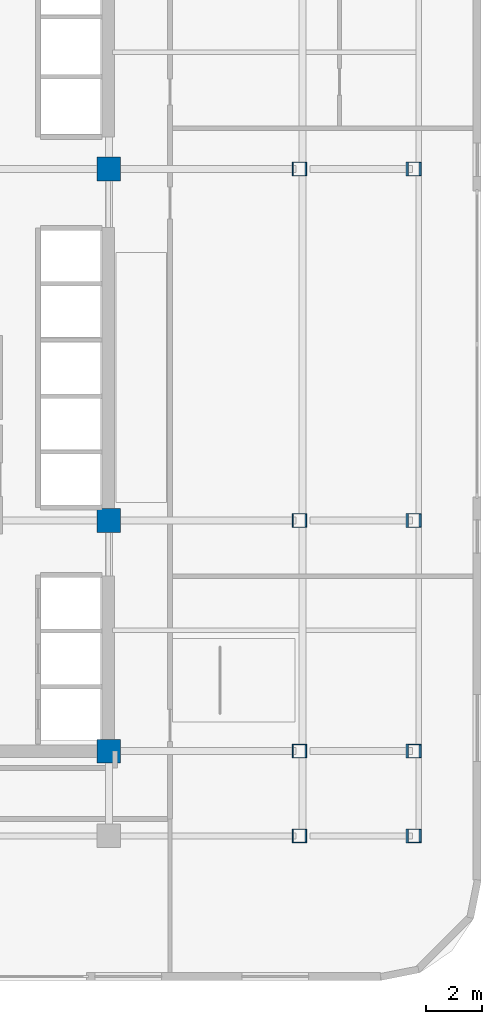
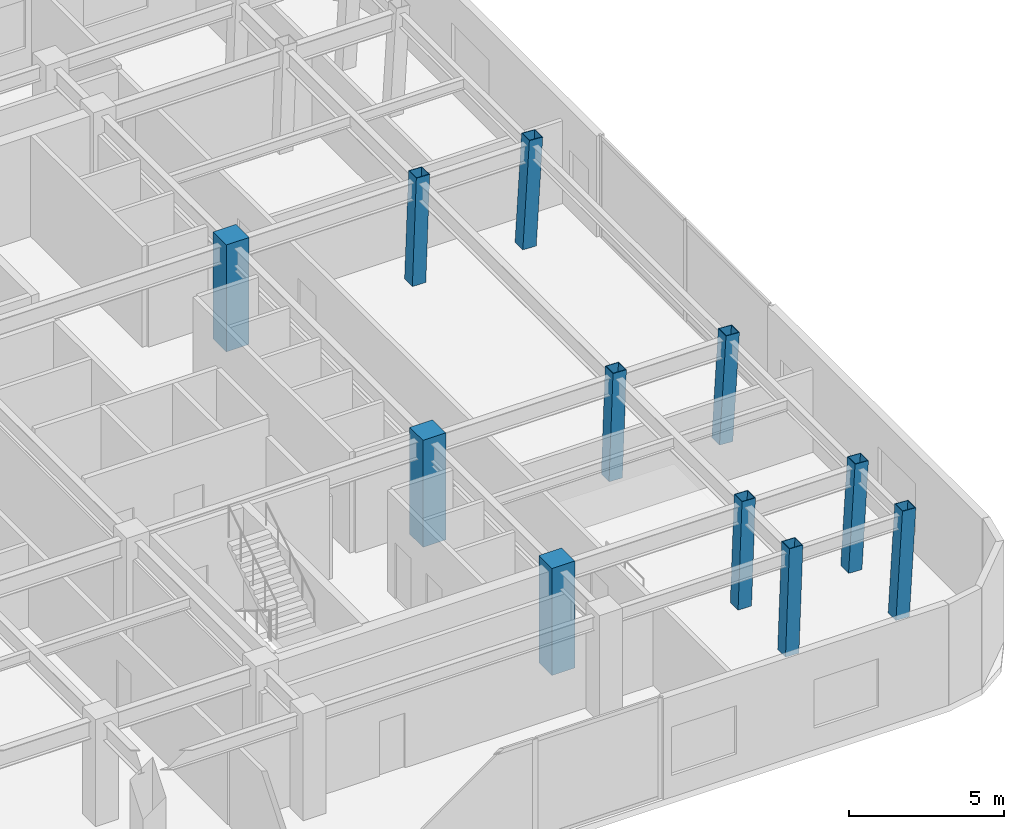
# One storey, part 2 of 13: 11 columns.
"""IFC4 building model written with IfcOpenShell, lengths in metres."""

from ifc_helpers import new_model, si_unit, direction, frame, origin, origin_2d, place, context, subcontext, project, spatial, rectangle, hollow_rectangle, extrude, material, material_profile, profile_set, type_object, element, save


model = new_model("IFC4")

# Units and contexts
model_context = context("Model", 3, precision=1e-05, world=origin(), true_north=direction((0.0, 1.0)))
body_context = subcontext(model_context, "Body", "Model", "MODEL_VIEW")
ifc_project = project(units=[si_unit("LENGTHUNIT", "METRE"), si_unit("AREAUNIT", "SQUARE_METRE"), si_unit("VOLUMEUNIT", "CUBIC_METRE"), si_unit("PLANEANGLEUNIT", "RADIAN"), si_unit("MASSUNIT", "GRAM", prefix="KILO")], contexts=[model_context])

# Site, building, storey
site_placement = place(None, origin())
site = spatial("IfcSite", under=ifc_project, at=site_placement, CompositionType="ELEMENT")
building_placement = place(site_placement, origin())
building = spatial("IfcBuilding", under=site, at=building_placement, Name="Ochreholt Gables", CompositionType="ELEMENT")
storey_placement = place(building_placement, frame((0.0, 0.0, 60.0)))
storey = spatial("IfcBuildingStorey", under=building, at=storey_placement, Name="L15", CompositionType="ELEMENT", Elevation=60.0)

# Columns
ifc_material_1 = material(Name="Steel CSA G40.21 350W", Category="steel")
ifc_material_profile_1 = material_profile(ifc_material_1, hollow_rectangle(XDim=0.5, YDim=0.5, WallThickness=0.02197265625, at=origin_2d()), Name="HSS500X500X22")
ifc_profile_set_1 = profile_set([ifc_material_profile_1], Name="Steel CSA G40.21 350W")
column_type_1 = type_object("IfcColumnType", Name="COL-HSS500-RAK", PredefinedType="COLUMN", material=ifc_profile_set_1)
for number, where, z_axis, x_axis, name in (
    (1, (42.035888671875, 9.25, 0.0), (0.035030512392, 0.0, 0.999386243252), (0.0, 1.0, 0.0), "L15 Column EMY2"),
    (2, (42.035888671875, 17.550048828125, 0.0), (0.035030512392, 0.0, 0.999386243252), (0.0, 1.0, 0.0), "L15 Column EMY3"),
    (3, (42.035888671875, 30.199951171875, 0.0), (0.035030512392, 0.0, 0.999386243252), (0.0, 1.0, 0.0), "L15 Column EMY4"),
):
    element("IfcColumn", number, at=place(storey_placement, frame(where, z_axis=z_axis, x_axis=x_axis)), inside=storey, type_object=column_type_1, Name=name, PredefinedType="COLUMN", context=body_context, shape_type="SweptSolid", body=[
        extrude(hollow_rectangle(XDim=0.5, YDim=0.5, WallThickness=0.02197265625, at=origin_2d()), origin(), (0.0, 0.0, 1.0), 4.20263671875),
    ])
ifc_material_profile_2 = material_profile(ifc_material_1, hollow_rectangle(XDim=0.5, YDim=0.5, WallThickness=0.02197265625, at=origin_2d()), Name="HSS500X500X22")
ifc_profile_set_2 = profile_set([ifc_material_profile_2], Name="Steel CSA G40.21 350W")
column_type_2 = type_object("IfcColumnType", Name="COL-HSS500-RAKE", PredefinedType="COLUMN", material=ifc_profile_set_2)
column_placement = place(storey_placement, frame((42.035888671875, 6.199951171875, 0.0), z_axis=(0.035030512392, 0.0, 0.999386243252), x_axis=(0.0, 1.0, 0.0)))
element("IfcColumn", 4, at=column_placement, inside=storey, type_object=column_type_2, Name="L15 Column EMY1", PredefinedType="COLUMN", context=body_context, shape_type="SweptSolid", body=[
    extrude(hollow_rectangle(XDim=0.5, YDim=0.5, WallThickness=0.02197265625, at=origin_2d()), origin(), (0.0, 0.0, 1.0), 4.20263671875),
])
for number, where, z_axis, x_axis, name in (
    (5, (46.13671875, 6.199951171875, 0.0), (0.057915760662, 0.0, 0.998321473608), (0.0, 1.0, 0.0), "L15 Column EEY1"),
    (6, (46.13671875, 9.25, 0.0), (0.057915760662, 0.0, 0.998321473608), (0.0, 1.0, 0.0), "L15 Column EEY2"),
    (7, (46.13671875, 17.550048828125, 0.0), (0.057915760662, 0.0, 0.998321473608), (0.0, 1.0, 0.0), "L15 Column EEY3"),
    (8, (46.13671875, 30.199951171875, 0.0), (0.057915760662, 0.0, 0.998321473608), (0.0, 1.0, 0.0), "L15 Column EEY4"),
):
    element("IfcColumn", number, at=place(storey_placement, frame(where, z_axis=z_axis, x_axis=x_axis)), inside=storey, type_object=column_type_2, Name=name, PredefinedType="COLUMN", context=body_context, shape_type="SweptSolid", body=[
        extrude(hollow_rectangle(XDim=0.5, YDim=0.5, WallThickness=0.02197265625, at=origin_2d()), origin(), (0.0, 0.0, 1.0), 4.20703125),
    ])
ifc_material_2 = material(Name="Concrete 60 MPa", Category="concrete")
ifc_material_profile_3 = material_profile(ifc_material_2, rectangle(XDim=0.85009765625, YDim=0.85009765625, at=origin_2d()), Name="RC850X850")
ifc_profile_set_3 = profile_set([ifc_material_profile_3], Name="Concrete 60 MPa")
column_type_3 = type_object("IfcColumnType", Name="COL-RC850-INT", PredefinedType="COLUMN", material=ifc_profile_set_3)
for number, where, z_axis, x_axis, name in (
    (9, (35.199951171875, 9.25, 0.0), (0.0, 0.0, 1.0), (1.0, 0.0, 0.0), "L15 Column C2Y2"),
    (10, (35.199951171875, 17.550048828125, 0.0), (0.0, 0.0, 1.0), (1.0, 0.0, 0.0), "L15 Column C2Y3"),
    (11, (35.199951171875, 30.199951171875, 0.0), (0.0, 0.0, 1.0), (1.0, 0.0, 0.0), "L15 Column C2Y4"),
):
    element("IfcColumn", number, at=place(storey_placement, frame(where, z_axis=z_axis, x_axis=x_axis)), inside=storey, type_object=column_type_3, Name=name, PredefinedType="COLUMN", context=body_context, shape_type="SweptSolid", body=[
        extrude(rectangle(XDim=0.85009765625, YDim=0.85009765625, at=origin_2d()), origin(), (0.0, 0.0, 1.0), 4.199951171875),
    ])

save(model, "model.ifc")
